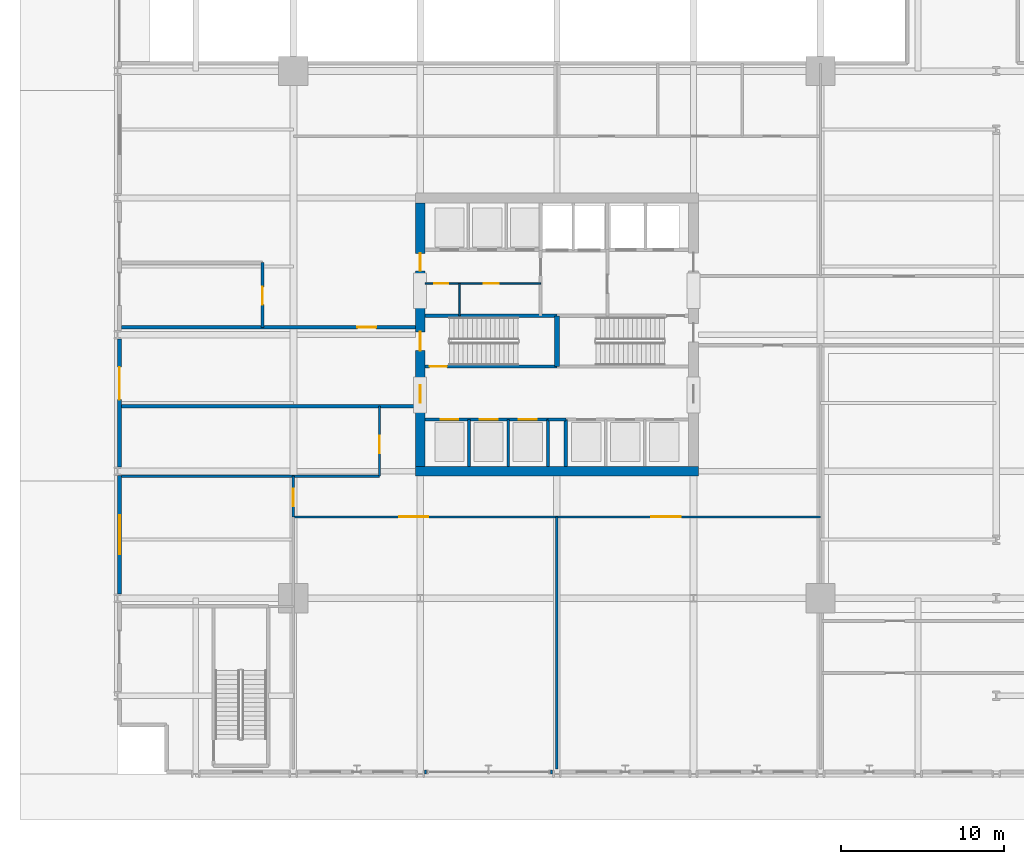
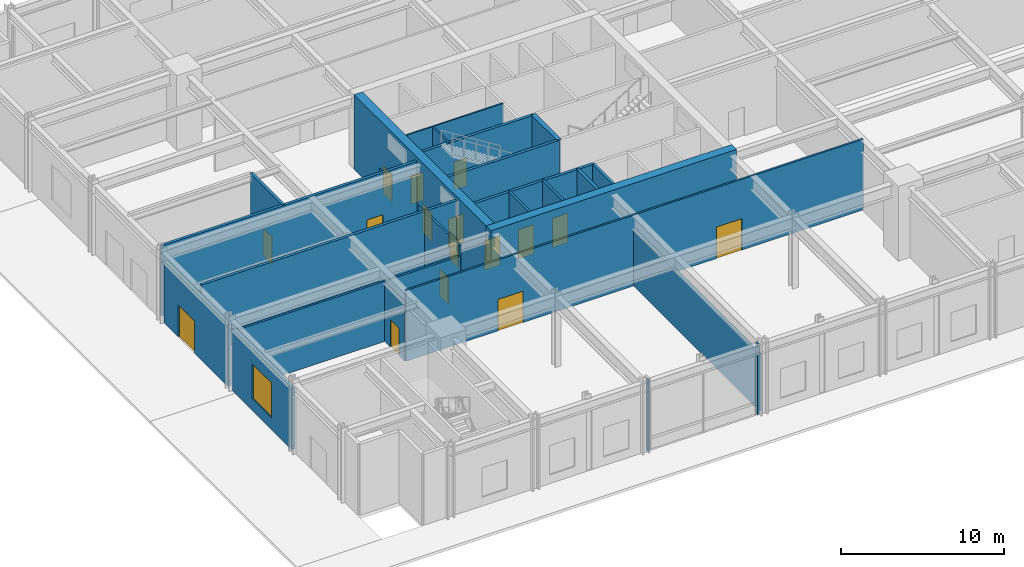
# One storey, part 11 of 21: 25 walls, 16 doors, 1 window, 17 openings.
"""IFC4 building model written with IfcOpenShell, lengths in metres."""

from ifc_helpers import new_model, si_unit, direction, frame, frame_2d, origin, place, context, subcontext, project, spatial, rectangle, extrude, material, layer, layer_set, type_object, element, fill, save


model = new_model("IFC4")

# Units and contexts
model_context = context("Model", 3, precision=1e-05, world=origin(), true_north=direction((0.0, 1.0)))
body_context = subcontext(model_context, "Body", "Model", "MODEL_VIEW")
ifc_project = project(units=[si_unit("LENGTHUNIT", "METRE"), si_unit("AREAUNIT", "SQUARE_METRE"), si_unit("VOLUMEUNIT", "CUBIC_METRE"), si_unit("PLANEANGLEUNIT", "RADIAN"), si_unit("MASSUNIT", "GRAM", prefix="KILO")], contexts=[model_context])

# Site, building, storey
site_placement = place(None, origin())
site = spatial("IfcSite", under=ifc_project, at=site_placement, CompositionType="ELEMENT")
building_placement = place(site_placement, origin())
building = spatial("IfcBuilding", under=site, at=building_placement, Name="Drelvath Grand Hotel", CompositionType="ELEMENT")
storey_placement = place(building_placement, origin())
storey = spatial("IfcBuildingStorey", under=building, at=storey_placement, Name="L00", CompositionType="ELEMENT", Elevation=0.0)

# Wall, openings, doors
ifc_material_1 = material(Name="Gypsum Partition Board")
ifc_layer_1 = layer(ifc_material_1, 0.10009765625)
ifc_layer_set_1 = layer_set([ifc_layer_1], Name="Gypsum Partition Board")
wall_type_1 = type_object("IfcWallType", Name="Core Closet Partition 100", PredefinedType="PARTITIONING", material=ifc_layer_set_1)
wall_1_placement = place(storey_placement, frame((-8.10009765625, 30.139892578125, 0.0), z_axis=(0.0, 0.0, 1.0), x_axis=(1.0, 0.0, 0.0)))
wall_1 = element("IfcWall", 1, at=wall_1_placement, inside=storey, type_object=wall_type_1, Name="L00 High-Rise Lobby Closet Wall", PredefinedType="PARTITIONING", context=body_context, shape_type="SweptSolid", body=[
    extrude(rectangle(XDim=7.10009765625, YDim=0.10009765625, at=frame_2d((3.550048828125, 0.0))), origin(), (0.0, 0.0, 1.0), 5.300048828125),
])
opening_1_placement = place(wall_1_placement, frame((0.550048828125, 0.0, 0.0)))
opening_1 = element("IfcOpeningElement", 2, at=opening_1_placement, cuts=wall_1, Name="Opening D-L00-016", PredefinedType="OPENING", context=body_context, shape_type="SweptSolid", body=[
    extrude(rectangle(XDim=0.8798828125, YDim=2.10009765625, at=frame_2d((0.43994140625, 1.050048828125))), frame((0.0, 0.06005859375, 0.0), z_axis=(0.0, -1.0, 0.0), x_axis=(1.0, 0.0, 0.0)), (0.0, 0.0, 1.0), 0.1201171875),
])
opening_2_placement = place(wall_1_placement, frame((3.60009765625, 0.0, 0.0)))
opening_2 = element("IfcOpeningElement", 3, at=opening_2_placement, cuts=wall_1, Name="Opening D-L00-017", PredefinedType="OPENING", context=body_context, shape_type="SweptSolid", body=[
    extrude(rectangle(XDim=0.919921875, YDim=2.10009765625, at=frame_2d((0.4599609375, 1.050048828125))), frame((0.0, 0.06005859375, 0.0), z_axis=(0.0, -1.0, 0.0), x_axis=(1.0, 0.0, 0.0)), (0.0, 0.0, 1.0), 0.1201171875),
])
ifc_material_2 = material(Name="Hardwood Walnut Timber", Category="wood")
door_type_1 = type_object("IfcDoorType", Name="En-Suite Bathroom Door 880x2100", OperationType="NOTDEFINED", PredefinedType="DOOR", material=ifc_material_2)
door_1_placement = place(opening_1_placement, origin())
door_1 = element("IfcDoor", 4, at=door_1_placement, inside=storey, type_object=door_type_1, Name="L00 Low-Voltage Closet Door", OperationType="SINGLE_SWING_LEFT", OverallHeight=2.10009765625, OverallWidth=0.8798828125, PredefinedType="DOOR", context=body_context, shape_type="SweptSolid", body=[
    extrude(rectangle(XDim=0.8798828125, YDim=2.10009765625, at=frame_2d((0.43994140625, 1.050048828125))), frame((0.0, 0.02490234375, 0.0), z_axis=(0.0, -1.0, 0.0), x_axis=(1.0, 0.0, 0.0)), (0.0, 0.0, 1.0), 0.050048828125),
])
fill(opening_1, door_1)
ifc_material_3 = material(Name="Painted Steel S275", Category="steel")
door_type_2 = type_object("IfcDoorType", Name="Staff Utility Door 920x2100", OperationType="NOTDEFINED", PredefinedType="DOOR", material=ifc_material_3)
door_2_placement = place(opening_2_placement, origin())
door_2 = element("IfcDoor", 5, at=door_2_placement, inside=storey, type_object=door_type_2, Name="L00 Telecom Distribution Door", OperationType="SINGLE_SWING_RIGHT", OverallHeight=2.10009765625, OverallWidth=0.919921875, PredefinedType="DOOR", context=body_context, shape_type="SweptSolid", body=[
    extrude(rectangle(XDim=0.919921875, YDim=2.10009765625, at=frame_2d((0.4599609375, 1.050048828125))), frame((0.0, 0.02490234375, 0.0), z_axis=(0.0, -1.0, 0.0), x_axis=(1.0, 0.0, 0.0)), (0.0, 0.0, 1.0), 0.050048828125),
])
fill(opening_2, door_2)

# Wall
wall_2_placement = place(storey_placement, frame((-5.97998046875, 28.159912109375, 0.0), z_axis=(0.0, 0.0, 1.0), x_axis=(0.0, 1.0, 0.0)))
element("IfcWall", 6, at=wall_2_placement, inside=storey, type_object=wall_type_1, Name="L00 Core Closet Split 2", PredefinedType="PARTITIONING", context=body_context, shape_type="SweptSolid", body=[
    extrude(rectangle(XDim=1.97998046875, YDim=0.10009765625, at=frame_2d((0.989990234375, 0.0))), origin(), (0.0, 0.0, 1.0), 5.300048828125),
])

# Wall, openings, doors
ifc_material_4 = material(Name="Concrete C40/50", Category="concrete")
ifc_layer_2 = layer(ifc_material_4, 0.199951171875)
ifc_layer_set_2 = layer_set([ifc_layer_2], Name="Concrete C40/50")
wall_type_2 = type_object("IfcWallType", Name="Core Hoistway Fire Wall 200", PredefinedType="SOLIDWALL", material=ifc_layer_set_2)
wall_3_placement = place(storey_placement, frame((-0.550048828125, 21.780029296875, 0.0), z_axis=(0.0, 0.0, 1.0), x_axis=(-1.0, 0.0, 0.0)))
wall_3 = element("IfcWall", 7, at=wall_3_placement, inside=storey, type_object=wall_type_2, Name="L00 Bank 1 Hoistway Wall", PredefinedType="SOLIDWALL", context=body_context, shape_type="SweptSolid", body=[
    extrude(rectangle(XDim=7.550048828125, YDim=0.199951171875, at=frame_2d((3.77490234375, 0.0))), origin(), (0.0, 0.0, 1.0), 5.300048828125),
])
opening_3_placement = place(wall_3_placement, frame((5.5, 0.0, 0.0)))
opening_3 = element("IfcOpeningElement", 8, at=opening_3_placement, cuts=wall_3, Name="Opening LD-PE-1", PredefinedType="OPENING", context=body_context, shape_type="SweptSolid", body=[
    extrude(rectangle(XDim=1.10009765625, YDim=2.199951171875, at=frame_2d((0.550048828125, 1.10009765625))), frame((0.0, 0.10986328125, 0.0), z_axis=(0.0, -1.0, 0.0), x_axis=(1.0, 0.0, 0.0)), (0.0, 0.0, 1.0), 0.219970703125),
])
opening_4_placement = place(wall_3_placement, frame((3.10009765625, 0.0, 0.0)))
opening_4 = element("IfcOpeningElement", 9, at=opening_4_placement, cuts=wall_3, Name="Opening LD-PE-2", PredefinedType="OPENING", context=body_context, shape_type="SweptSolid", body=[
    extrude(rectangle(XDim=1.10009765625, YDim=2.199951171875, at=frame_2d((0.550048828125, 1.10009765625))), frame((0.0, 0.10986328125, 0.0), z_axis=(0.0, -1.0, 0.0), x_axis=(1.0, 0.0, 0.0)), (0.0, 0.0, 1.0), 0.219970703125),
])
opening_5_placement = place(wall_3_placement, frame((0.699951171875, 0.0, 0.0)))
opening_5 = element("IfcOpeningElement", 10, at=opening_5_placement, cuts=wall_3, Name="Opening LD-PE-3", PredefinedType="OPENING", context=body_context, shape_type="SweptSolid", body=[
    extrude(rectangle(XDim=1.10009765625, YDim=2.199951171875, at=frame_2d((0.550048828125, 1.10009765625))), frame((0.0, 0.10986328125, 0.0), z_axis=(0.0, -1.0, 0.0), x_axis=(1.0, 0.0, 0.0)), (0.0, 0.0, 1.0), 0.219970703125),
])
ifc_material_5 = material(Name="Stainless Steel S355", Category="steel")
door_type_3 = type_object("IfcDoorType", Name="Passenger Lift Sliding Landing Door 1100x2200", OperationType="NOTDEFINED", PredefinedType="DOOR", material=ifc_material_5)
door_3_placement = place(opening_3_placement, origin())
door_3 = element("IfcDoor", 11, at=door_3_placement, inside=storey, type_object=door_type_3, Name="L00 Lift PE-1 Landing Door", OperationType="SLIDING_TO_LEFT", OverallHeight=2.199951171875, OverallWidth=1.10009765625, PredefinedType="DOOR", context=body_context, shape_type="SweptSolid", body=[
    extrude(rectangle(XDim=1.10009765625, YDim=2.199951171875, at=frame_2d((0.550048828125, 1.10009765625))), frame((0.0, 0.02490234375, 0.0), z_axis=(0.0, -1.0, 0.0), x_axis=(1.0, 0.0, 0.0)), (0.0, 0.0, 1.0), 0.050048828125),
])
fill(opening_3, door_3)
door_4_placement = place(opening_4_placement, origin())
door_4 = element("IfcDoor", 12, at=door_4_placement, inside=storey, type_object=door_type_3, Name="L00 Lift PE-2 Landing Door", OperationType="SLIDING_TO_LEFT", OverallHeight=2.199951171875, OverallWidth=1.10009765625, PredefinedType="DOOR", context=body_context, shape_type="SweptSolid", body=[
    extrude(rectangle(XDim=1.10009765625, YDim=2.199951171875, at=frame_2d((0.550048828125, 1.10009765625))), frame((0.0, 0.02490234375, 0.0), z_axis=(0.0, -1.0, 0.0), x_axis=(1.0, 0.0, 0.0)), (0.0, 0.0, 1.0), 0.050048828125),
])
fill(opening_4, door_4)
door_5_placement = place(opening_5_placement, origin())
door_5 = element("IfcDoor", 13, at=door_5_placement, inside=storey, type_object=door_type_3, Name="L00 Lift PE-3 Landing Door", OperationType="SLIDING_TO_LEFT", OverallHeight=2.199951171875, OverallWidth=1.10009765625, PredefinedType="DOOR", context=body_context, shape_type="SweptSolid", body=[
    extrude(rectangle(XDim=1.10009765625, YDim=2.199951171875, at=frame_2d((0.550048828125, 1.10009765625))), frame((0.0, 0.02490234375, 0.0), z_axis=(0.0, -1.0, 0.0), x_axis=(1.0, 0.0, 0.0)), (0.0, 0.0, 1.0), 0.050048828125),
])
fill(opening_5, door_5)

# Walls
for number, where, z_axis, x_axis, name in (
    (14, (-0.550048828125, 18.89990234375, 0.0), (0.0, 0.0, 1.0), (0.0, 1.0, 0.0), "L00 Bank 1 East Wall"),
    (15, (0.550048828125, 18.89990234375, 0.0), (0.0, 0.0, 1.0), (0.0, 1.0, 0.0), "L00 Bank 2 West Wall"),
):
    element("IfcWall", number, at=place(storey_placement, frame(where, z_axis=z_axis, x_axis=x_axis)), inside=storey, type_object=wall_type_2, Name=name, PredefinedType="SOLIDWALL", context=body_context, shape_type="SweptSolid", body=[
        extrude(rectangle(XDim=2.880126953125, YDim=0.199951171875, at=frame_2d((1.43994140625, 0.0))), origin(), (0.0, 0.0, 1.0), 5.300048828125),
    ])
wall_4_placement = place(storey_placement, frame((-0.550048828125, 21.780029296875, 0.0), z_axis=(0.0, 0.0, 1.0), x_axis=(1.0, 0.0, 0.0)))
element("IfcWall", 16, at=wall_4_placement, inside=storey, type_object=wall_type_2, Name="L00 Core Riser Wall", PredefinedType="SOLIDWALL", context=body_context, shape_type="SweptSolid", body=[
    extrude(rectangle(XDim=1.10009765625, YDim=0.199951171875, at=frame_2d((0.550048828125, 0.0))), origin(), (0.0, 0.0, 1.0), 5.300048828125),
])

# Wall, opening, door
ifc_layer_3 = layer(ifc_material_4, 0.199951171875)
ifc_layer_set_3 = layer_set([ifc_layer_3], Name="Concrete C40/50")
wall_type_3 = type_object("IfcWallType", Name="Core Shaft Fire Wall 200", PredefinedType="SOLIDWALL", material=ifc_layer_set_3)
wall_5_placement = place(storey_placement, frame((-8.10009765625, 25.0400390625, 0.0), z_axis=(0.0, 0.0, 1.0), x_axis=(1.0, 0.0, 0.0)))
wall_5 = element("IfcWall", 17, at=wall_5_placement, inside=storey, type_object=wall_type_3, Name="L00 Stair ST-1 South Wall", PredefinedType="SOLIDWALL", context=body_context, shape_type="SweptSolid", body=[
    extrude(rectangle(XDim=8.10009765625, YDim=0.199951171875, at=frame_2d((4.050048828125, 0.0))), origin(), (0.0, 0.0, 1.0), 5.300048828125),
])
opening_6_placement = place(wall_5_placement, frame((0.280029296875, 0.0, 0.0)))
opening_6 = element("IfcOpeningElement", 18, at=opening_6_placement, cuts=wall_5, Name="Opening D-L00-001", PredefinedType="OPENING", context=body_context, shape_type="SweptSolid", body=[
    extrude(rectangle(XDim=1.050048828125, YDim=2.10009765625, at=frame_2d((0.52490234375, 1.050048828125))), frame((0.0, 0.10986328125, 0.0), z_axis=(0.0, -1.0, 0.0), x_axis=(1.0, 0.0, 0.0)), (0.0, 0.0, 1.0), 0.219970703125),
])
door_type_4 = type_object("IfcDoorType", Name="Tower Stairwell Fire Door 1050x2100", OperationType="NOTDEFINED", PredefinedType="DOOR", material=ifc_material_3)
door_6_placement = place(opening_6_placement, origin())
door_6 = element("IfcDoor", 19, at=door_6_placement, inside=storey, type_object=door_type_4, Name="L00 Exit Stair ST-1 Door", OperationType="SINGLE_SWING_LEFT", OverallHeight=2.10009765625, OverallWidth=1.050048828125, PredefinedType="DOOR", context=body_context, shape_type="SweptSolid", body=[
    extrude(rectangle(XDim=1.050048828125, YDim=2.10009765625, at=frame_2d((0.52490234375, 1.050048828125))), frame((0.0, 0.02490234375, 0.0), z_axis=(0.0, -1.0, 0.0), x_axis=(1.0, 0.0, 0.0)), (0.0, 0.0, 1.0), 0.050048828125),
])
fill(opening_6, door_6)

# Walls
wall_6_placement = place(storey_placement, frame((-8.10009765625, 28.159912109375, 0.0), z_axis=(0.0, 0.0, 1.0), x_axis=(1.0, 0.0, 0.0)))
element("IfcWall", 20, at=wall_6_placement, inside=storey, type_object=wall_type_3, Name="L00 Stair ST-1 North Wall", PredefinedType="SOLIDWALL", context=body_context, shape_type="SweptSolid", body=[
    extrude(rectangle(XDim=8.10009765625, YDim=0.199951171875, at=frame_2d((4.050048828125, 0.0))), origin(), (0.0, 0.0, 1.0), 5.300048828125),
])
wall_7_placement = place(storey_placement, frame((-26.760009765625, 22.60009765625, 0.0), z_axis=(0.0, 0.0, 1.0), x_axis=(1.0, 0.0, 0.0)))
element("IfcWall", 21, at=wall_7_placement, inside=storey, type_object=wall_type_3, Name="L00 West Exit Passage South Wall", PredefinedType="SOLIDWALL", context=body_context, shape_type="SweptSolid", body=[
    extrude(rectangle(XDim=18.06005859375, YDim=0.199951171875, at=frame_2d((9.030029296875, 0.0))), origin(), (0.0, 0.0, 1.0), 5.300048828125),
])

# Wall, opening, door
wall_8_placement = place(storey_placement, frame((-26.760009765625, 27.449951171875, 0.0), z_axis=(0.0, 0.0, 1.0), x_axis=(1.0, 0.0, 0.0)))
wall_8 = element("IfcWall", 22, at=wall_8_placement, inside=storey, type_object=wall_type_3, Name="L00 West Exit Passage North Wall", PredefinedType="SOLIDWALL", context=body_context, shape_type="SweptSolid", body=[
    extrude(rectangle(XDim=18.06005859375, YDim=0.199951171875, at=frame_2d((9.030029296875, 0.0))), origin(), (0.0, 0.0, 1.0), 5.300048828125),
])
opening_7_placement = place(wall_8_placement, frame((14.5, 0.0, 0.0)))
opening_7 = element("IfcOpeningElement", 23, at=opening_7_placement, cuts=wall_8, Name="Opening D-L00-028", PredefinedType="OPENING", context=body_context, shape_type="SweptSolid", body=[
    extrude(rectangle(XDim=1.14990234375, YDim=2.14990234375, at=frame_2d((0.574951171875, 1.074951171875))), frame((0.0, 0.10986328125, 0.0), z_axis=(0.0, -1.0, 0.0), x_axis=(1.0, 0.0, 0.0)), (0.0, 0.0, 1.0), 0.219970703125),
])
door_type_5 = type_object("IfcDoorType", Name="Podium Stairwell Fire Door 1150x2150", OperationType="NOTDEFINED", PredefinedType="DOOR", material=ifc_material_3)
door_7_placement = place(opening_7_placement, origin())
door_7 = element("IfcDoor", 24, at=door_7_placement, inside=storey, type_object=door_type_5, Name="L00 West Lobby to Exit Passage Door", OperationType="SINGLE_SWING_LEFT", OverallHeight=2.14990234375, OverallWidth=1.14990234375, PredefinedType="DOOR", context=body_context, shape_type="SweptSolid", body=[
    extrude(rectangle(XDim=1.14990234375, YDim=2.14990234375, at=frame_2d((0.574951171875, 1.074951171875))), frame((0.0, 0.02490234375, 0.0), z_axis=(0.0, -1.0, 0.0), x_axis=(1.0, 0.0, 0.0)), (0.0, 0.0, 1.0), 0.050048828125),
])
fill(opening_7, door_7)

wall_9_placement = place(storey_placement, frame((-18.10009765625, 27.449951171875, 0.0), z_axis=(0.0, 0.0, 1.0), x_axis=(0.0, 1.0, 0.0)))
wall_9 = element("IfcWall", 25, at=wall_9_placement, inside=storey, type_object=wall_type_3, Name="L00 Fire Command Center East Wall", PredefinedType="SOLIDWALL", context=body_context, shape_type="SweptSolid", body=[
    extrude(rectangle(XDim=3.969970703125, YDim=0.199951171875, at=frame_2d((1.98486328125, 0.0))), origin(), (0.0, 0.0, 1.0), 5.300048828125),
])
opening_8_placement = place(wall_9_placement, frame((1.39990234375, 0.0, 0.0)))
opening_8 = element("IfcOpeningElement", 26, at=opening_8_placement, cuts=wall_9, Name="Opening D-L00-029", PredefinedType="OPENING", context=body_context, shape_type="SweptSolid", body=[
    extrude(rectangle(XDim=1.080078125, YDim=2.0400390625, at=frame_2d((0.5400390625, 1.02001953125))), frame((0.0, 0.10986328125, 0.0), z_axis=(0.0, -1.0, 0.0), x_axis=(1.0, 0.0, 0.0)), (0.0, 0.0, 1.0), 0.219970703125),
])
door_type_6 = type_object("IfcDoorType", Name="Core Corridor Fire Door 1080x2100", OperationType="NOTDEFINED", PredefinedType="DOOR", material=ifc_material_3)
door_8_placement = place(opening_8_placement, origin())
door_8 = element("IfcDoor", 27, at=door_8_placement, inside=storey, type_object=door_type_6, Name="L00 Fire Command Center Interior Door", OperationType="SINGLE_SWING_RIGHT", OverallHeight=2.0400390625, OverallWidth=1.080078125, PredefinedType="DOOR", context=body_context, shape_type="SweptSolid", body=[
    extrude(rectangle(XDim=1.080078125, YDim=2.0400390625, at=frame_2d((0.5400390625, 1.02001953125))), frame((0.0, 0.02490234375, 0.0), z_axis=(0.0, -1.0, 0.0), x_axis=(1.0, 0.0, 0.0)), (0.0, 0.0, 1.0), 0.050048828125),
])
fill(opening_8, door_8)

# Walls
ifc_layer_4 = layer(ifc_material_4, 0.300048828125)
ifc_layer_set_4 = layer_set([ifc_layer_4], Name="Concrete C40/50")
wall_type_4 = type_object("IfcWallType", Name="Core Shaft Fire Wall 300", PredefinedType="SOLIDWALL", material=ifc_layer_set_4)
wall_10_placement = place(storey_placement, frame((0.0, 25.0400390625, 0.0), z_axis=(0.0, 0.0, 1.0), x_axis=(0.0, 1.0, 0.0)))
element("IfcWall", 28, at=wall_10_placement, inside=storey, type_object=wall_type_4, Name="L00 Core Stair Divider Wall", PredefinedType="SOLIDWALL", context=body_context, shape_type="SweptSolid", body=[
    extrude(rectangle(XDim=3.119873046875, YDim=0.300048828125, at=frame_2d((1.56005859375, 0.0))), origin(), (0.0, 0.0, 1.0), 5.300048828125),
])
ifc_material_6 = material(Name="Gypsum Fireboard Partition")
ifc_layer_5 = layer(ifc_material_6, 0.1650390625)
ifc_layer_set_5 = layer_set([ifc_layer_5], Name="Gypsum Fireboard Partition")
wall_type_5 = type_object("IfcWallType", Name="Core Shaft Partition 165", PredefinedType="PARTITIONING", material=ifc_layer_set_5)
for number, where, z_axis, x_axis, name in (
    (29, (-5.39990234375, 18.89990234375, 0.0), (0.0, 0.0, 1.0), (0.0, 1.0, 0.0), "L00 Lift PE-1/2 Divider"),
    (30, (-3.0, 18.89990234375, 0.0), (0.0, 0.0, 1.0), (0.0, 1.0, 0.0), "L00 Lift PE-2/3 Divider"),
):
    element("IfcWall", number, at=place(storey_placement, frame(where, z_axis=z_axis, x_axis=x_axis)), inside=storey, type_object=wall_type_5, Name=name, PredefinedType="PARTITIONING", context=body_context, shape_type="SweptSolid", body=[
        extrude(rectangle(XDim=2.880126953125, YDim=0.1650390625, at=frame_2d((1.43994140625, 0.0))), origin(), (0.0, 0.0, 1.0), 5.300048828125),
    ])

# Wall, openings, doors
ifc_layer_6 = layer(ifc_material_6, 0.135009765625)
ifc_layer_set_6 = layer_set([ifc_layer_6], Name="Gypsum Fireboard Partition")
wall_type_6 = type_object("IfcWallType", Name="Corridor Fire Barrier Wall 135", PredefinedType="PARTITIONING", material=ifc_layer_set_6)
wall_11_placement = place(storey_placement, frame((-16.199951171875, 15.800048828125, 0.0), z_axis=(0.0, 0.0, 1.0), x_axis=(1.0, 0.0, 0.0)))
wall_11 = element("IfcWall", 31, at=wall_11_placement, inside=storey, type_object=wall_type_6, Name="L00 South Galleria Corridor Wall", PredefinedType="PARTITIONING", context=body_context, shape_type="SweptSolid", body=[
    extrude(rectangle(XDim=32.39990234375, YDim=0.135009765625, at=frame_2d((16.199951171875, 0.0))), origin(), (0.0, 0.0, 1.0), 5.300048828125),
])
opening_9_placement = place(wall_11_placement, frame((6.5, 0.0, 0.0)))
opening_9 = element("IfcOpeningElement", 32, at=opening_9_placement, cuts=wall_11, Name="Opening D-L00-032", PredefinedType="OPENING", context=body_context, shape_type="SweptSolid", body=[
    extrude(rectangle(XDim=1.800048828125, YDim=2.35009765625, at=frame_2d((0.89990234375, 1.175048828125))), frame((0.0, 0.077392578125, 0.0), z_axis=(0.0, -1.0, 0.0), x_axis=(1.0, 0.0, 0.0)), (0.0, 0.0, 1.0), 0.155029296875),
])
opening_10_placement = place(wall_11_placement, frame((22.0, 0.0, 0.0)))
opening_10 = element("IfcOpeningElement", 33, at=opening_10_placement, cuts=wall_11, Name="Opening D-L00-033", PredefinedType="OPENING", context=body_context, shape_type="SweptSolid", body=[
    extrude(rectangle(XDim=1.800048828125, YDim=2.35009765625, at=frame_2d((0.89990234375, 1.175048828125))), frame((0.0, 0.077392578125, 0.0), z_axis=(0.0, -1.0, 0.0), x_axis=(1.0, 0.0, 0.0)), (0.0, 0.0, 1.0), 0.155029296875),
])
ifc_material_7 = material(Name="Hardwood Bronze-Clad Timber", Category="wood")
door_type_7 = type_object("IfcDoorType", Name="Assembly Double Fire Door 1800x2350", OperationType="NOTDEFINED", PredefinedType="DOOR", material=ifc_material_7)
door_9_placement = place(opening_9_placement, origin())
door_9 = element("IfcDoor", 34, at=door_9_placement, inside=storey, type_object=door_type_7, Name="L00 Reception Hall Double Door", OperationType="DOUBLE_DOOR_SINGLE_SWING", OverallHeight=2.35009765625, OverallWidth=1.800048828125, PredefinedType="DOOR", context=body_context, shape_type="SweptSolid", body=[
    extrude(rectangle(XDim=1.800048828125, YDim=2.35009765625, at=frame_2d((0.89990234375, 1.175048828125))), frame((0.0, 0.02490234375, 0.0), z_axis=(0.0, -1.0, 0.0), x_axis=(1.0, 0.0, 0.0)), (0.0, 0.0, 1.0), 0.050048828125),
])
fill(opening_9, door_9)
door_10_placement = place(opening_10_placement, origin())
door_10 = element("IfcDoor", 35, at=door_10_placement, inside=storey, type_object=door_type_7, Name="L00 Retail Boutique Double Door", OperationType="DOUBLE_DOOR_SINGLE_SWING", OverallHeight=2.35009765625, OverallWidth=1.800048828125, PredefinedType="DOOR", context=body_context, shape_type="SweptSolid", body=[
    extrude(rectangle(XDim=1.800048828125, YDim=2.35009765625, at=frame_2d((0.89990234375, 1.175048828125))), frame((0.0, 0.02490234375, 0.0), z_axis=(0.0, -1.0, 0.0), x_axis=(1.0, 0.0, 0.0)), (0.0, 0.0, 1.0), 0.050048828125),
])
fill(opening_10, door_10)

# Wall, opening, door
wall_12_placement = place(storey_placement, frame((-16.199951171875, 15.800048828125, 0.0), z_axis=(0.0, 0.0, 1.0), x_axis=(0.0, 1.0, 0.0)))
wall_12 = element("IfcWall", 36, at=wall_12_placement, inside=storey, type_object=wall_type_6, Name="L00 VIP Salon East Corridor Wall", PredefinedType="PARTITIONING", context=body_context, shape_type="SweptSolid", body=[
    extrude(rectangle(XDim=2.5, YDim=0.135009765625, at=frame_2d((1.25, 0.0))), origin(), (0.0, 0.0, 1.0), 4.3369140625),
])
opening_11_placement = place(wall_12_placement, frame((0.64990234375, 0.0, 0.0)))
opening_11 = element("IfcOpeningElement", 37, at=opening_11_placement, cuts=wall_12, Name="Opening D-L00-035", PredefinedType="OPENING", context=body_context, shape_type="SweptSolid", body=[
    extrude(rectangle(XDim=1.080078125, YDim=2.0400390625, at=frame_2d((0.5400390625, 1.02001953125))), frame((0.0, 0.077392578125, 0.0), z_axis=(0.0, -1.0, 0.0), x_axis=(1.0, 0.0, 0.0)), (0.0, 0.0, 1.0), 0.155029296875),
])
door_11_placement = place(opening_11_placement, origin())
door_11 = element("IfcDoor", 38, at=door_11_placement, inside=storey, type_object=door_type_6, Name="L00 VIP Salon Door", OperationType="SINGLE_SWING_RIGHT", OverallHeight=2.0400390625, OverallWidth=1.080078125, PredefinedType="DOOR", context=body_context, shape_type="SweptSolid", body=[
    extrude(rectangle(XDim=1.080078125, YDim=2.0400390625, at=frame_2d((0.5400390625, 1.02001953125))), frame((0.0, 0.02490234375, 0.0), z_axis=(0.0, -1.0, 0.0), x_axis=(1.0, 0.0, 0.0)), (0.0, 0.0, 1.0), 0.050048828125),
])
fill(opening_11, door_11)

wall_13_placement = place(storey_placement, frame((-10.89990234375, 18.300048828125, 0.0), z_axis=(0.0, 0.0, 1.0), x_axis=(0.0, 1.0, 0.0)))
wall_13 = element("IfcWall", 39, at=wall_13_placement, inside=storey, type_object=wall_type_6, Name="L00 West Lobby Service Wall", PredefinedType="PARTITIONING", context=body_context, shape_type="SweptSolid", body=[
    extrude(rectangle(XDim=4.300048828125, YDim=0.135009765625, at=frame_2d((2.14990234375, 0.0))), origin(), (0.0, 0.0, 1.0), 5.300048828125),
])
opening_12_placement = place(wall_13_placement, frame((1.39990234375, 0.0, 0.0)))
opening_12 = element("IfcOpeningElement", 40, at=opening_12_placement, cuts=wall_13, Name="Opening D-L00-036", PredefinedType="OPENING", context=body_context, shape_type="SweptSolid", body=[
    extrude(rectangle(XDim=1.080078125, YDim=2.0400390625, at=frame_2d((0.5400390625, 1.02001953125))), frame((0.0, 0.077392578125, 0.0), z_axis=(0.0, -1.0, 0.0), x_axis=(1.0, 0.0, 0.0)), (0.0, 0.0, 1.0), 0.155029296875),
])
door_12_placement = place(opening_12_placement, origin())
door_12 = element("IfcDoor", 41, at=door_12_placement, inside=storey, type_object=door_type_6, Name="L00 Luggage Room Door", OperationType="SINGLE_SWING_LEFT", OverallHeight=2.0400390625, OverallWidth=1.080078125, PredefinedType="DOOR", context=body_context, shape_type="SweptSolid", body=[
    extrude(rectangle(XDim=1.080078125, YDim=2.0400390625, at=frame_2d((0.5400390625, 1.02001953125))), frame((0.0, 0.02490234375, 0.0), z_axis=(0.0, -1.0, 0.0), x_axis=(1.0, 0.0, 0.0)), (0.0, 0.0, 1.0), 0.050048828125),
])
fill(opening_12, door_12)

# Walls
ifc_material_8 = material(Name="Gypsum Acoustic Partition")
ifc_layer_7 = layer(ifc_material_8, 0.14990234375)
ifc_layer_set_7 = layer_set([ifc_layer_7], Name="Gypsum Acoustic Partition")
wall_type_7 = type_object("IfcWallType", Name="Guestroom Demising Wall 150", PredefinedType="PARTITIONING", material=ifc_layer_set_7)
wall_14_placement = place(storey_placement, frame((-26.760009765625, 18.300048828125, 0.0), z_axis=(0.0, 0.0, 1.0), x_axis=(1.0, 0.0, 0.0)))
element("IfcWall", 42, at=wall_14_placement, inside=storey, type_object=wall_type_7, Name="L00 Luggage Lounge Split", PredefinedType="PARTITIONING", context=body_context, shape_type="SweptSolid", body=[
    extrude(rectangle(XDim=15.860107421875, YDim=0.14990234375, at=frame_2d((7.93017578125, 0.0))), origin(), (0.0, 0.0, 1.0), 4.51171875),
])
ifc_material_9 = material(Name="Concrete f'c 70 MPa", Category="concrete")
ifc_layer_8 = layer(ifc_material_9, 0.60009765625)
ifc_layer_set_8 = layer_set([ifc_layer_8], Name="Concrete f'c 70 MPa")
wall_type_8 = type_object("IfcWallType", Name="Lower Core RC Shear Wall 600", PredefinedType="SHEAR", material=ifc_layer_set_8)
wall_15_placement = place(storey_placement, frame((8.699951171875, 18.60009765625, 0.0), z_axis=(0.0, 0.0, 1.0), x_axis=(-1.0, 0.0, 0.0)))
element("IfcWall", 43, at=wall_15_placement, inside=storey, type_object=wall_type_8, Name="L00 Central Core Shear Wall S", PredefinedType="SHEAR", context=body_context, shape_type="SweptSolid", body=[
    extrude(rectangle(XDim=17.39990234375, YDim=0.60009765625, at=frame_2d((8.699951171875, 0.0))), origin(), (0.0, 0.0, 1.0), 5.60009765625),
])

# Wall, openings, doors
wall_16_placement = place(storey_placement, frame((-8.39990234375, 18.89990234375, 0.0), z_axis=(0.0, 0.0, 1.0), x_axis=(0.0, 1.0, 0.0)))
wall_16 = element("IfcWall", 44, at=wall_16_placement, inside=storey, type_object=wall_type_8, Name="L00 Central Core Shear Wall W", PredefinedType="SHEAR", context=body_context, shape_type="SweptSolid", body=[
    extrude(rectangle(XDim=16.2001953125, YDim=0.60009765625, at=frame_2d((8.10009765625, 0.0))), origin(), (0.0, 0.0, 1.0), 5.60009765625),
])
opening_13_placement = place(wall_16_placement, frame((7.1201171875, 0.0, 0.0)))
opening_13 = element("IfcOpeningElement", 45, at=opening_13_placement, cuts=wall_16, Name="Opening SD-ST1-L00", PredefinedType="OPENING", context=body_context, shape_type="SweptSolid", body=[
    extrude(rectangle(XDim=1.14990234375, YDim=2.14990234375, at=frame_2d((0.574951171875, 1.074951171875))), frame((0.0, 0.31005859375, 0.0), z_axis=(0.0, -1.0, 0.0), x_axis=(1.0, 0.0, 0.0)), (0.0, 0.0, 1.0), 0.6201171875),
])
opening_14_placement = place(wall_16_placement, frame((12.02001953125, 0.0, 0.0)))
opening_14 = element("IfcOpeningElement", 46, at=opening_14_placement, cuts=wall_16, Name="Opening D-L00-015", PredefinedType="OPENING", context=body_context, shape_type="SweptSolid", body=[
    extrude(rectangle(XDim=1.080078125, YDim=2.0400390625, at=frame_2d((0.5400390625, 1.02001953125))), frame((0.0, 0.31005859375, 0.0), z_axis=(0.0, -1.0, 0.0), x_axis=(1.0, 0.0, 0.0)), (0.0, 0.0, 1.0), 0.6201171875),
])
opening_15_placement = place(wall_16_placement, frame((3.89990234375, 0.0, 0.0)))
opening_15 = element("IfcOpeningElement", 47, at=opening_15_placement, cuts=wall_16, Name="Opening D-L00-024", PredefinedType="OPENING", context=body_context, shape_type="SweptSolid", body=[
    extrude(rectangle(XDim=1.080078125, YDim=2.0400390625, at=frame_2d((0.5400390625, 1.02001953125))), frame((0.0, 0.31005859375, 0.0), z_axis=(0.0, -1.0, 0.0), x_axis=(1.0, 0.0, 0.0)), (0.0, 0.0, 1.0), 0.6201171875),
])
door_13_placement = place(opening_14_placement, origin())
door_13 = element("IfcDoor", 48, at=door_13_placement, inside=storey, type_object=door_type_6, Name="L00 High-Rise Lift Lobby West Door", OperationType="SINGLE_SWING_RIGHT", OverallHeight=2.0400390625, OverallWidth=1.080078125, PredefinedType="DOOR", context=body_context, shape_type="SweptSolid", body=[
    extrude(rectangle(XDim=1.080078125, YDim=2.0400390625, at=frame_2d((0.5400390625, 1.02001953125))), frame((0.0, 0.02490234375, 0.0), z_axis=(0.0, -1.0, 0.0), x_axis=(1.0, 0.0, 0.0)), (0.0, 0.0, 1.0), 0.050048828125),
])
fill(opening_14, door_13)
door_14_placement = place(opening_15_placement, origin())
door_14 = element("IfcDoor", 49, at=door_14_placement, inside=storey, type_object=door_type_6, Name="L00 South Lift Lobby West Door", OperationType="SINGLE_SWING_LEFT", OverallHeight=2.0400390625, OverallWidth=1.080078125, PredefinedType="DOOR", context=body_context, shape_type="SweptSolid", body=[
    extrude(rectangle(XDim=1.080078125, YDim=2.0400390625, at=frame_2d((0.5400390625, 1.02001953125))), frame((0.0, 0.02490234375, 0.0), z_axis=(0.0, -1.0, 0.0), x_axis=(1.0, 0.0, 0.0)), (0.0, 0.0, 1.0), 0.050048828125),
])
fill(opening_15, door_14)
door_15_placement = place(opening_13_placement, origin())
door_15 = element("IfcDoor", 50, at=door_15_placement, inside=storey, type_object=door_type_5, Name="L00 Exit Stair ST-1 Discharge Door", OperationType="SINGLE_SWING_LEFT", OverallHeight=2.14990234375, OverallWidth=1.14990234375, PredefinedType="DOOR", context=body_context, shape_type="SweptSolid", body=[
    extrude(rectangle(XDim=1.14990234375, YDim=2.14990234375, at=frame_2d((0.574951171875, 1.074951171875))), frame((0.0, 0.02490234375, 0.0), z_axis=(0.0, -1.0, 0.0), x_axis=(1.0, 0.0, 0.0)), (0.0, 0.0, 1.0), 0.050048828125),
])
fill(opening_13, door_15)

# Wall, opening, window
ifc_material_10 = material(Name="Insulated Granite Rainscreen Assembly", Category="masonry")
ifc_layer_9 = layer(ifc_material_10, 0.239990234375)
ifc_layer_set_9 = layer_set([ifc_layer_9], Name="Insulated Granite Rainscreen Assembly")
wall_type_9 = type_object("IfcWallType", Name="Podium Granite Rainscreen Exterior Wall 240", PredefinedType="STANDARD", material=ifc_layer_set_9)
wall_17_placement = place(storey_placement, frame((-26.8798828125, 11.0576171875, 0.0), z_axis=(0.0, 0.0, 1.0), x_axis=(0.0, 1.0, 0.0)))
wall_17 = element("IfcWall", 51, at=wall_17_placement, inside=storey, type_object=wall_type_9, Name="L00 West Podium Granite Wall 3", PredefinedType="STANDARD", context=body_context, shape_type="SweptSolid", body=[
    extrude(rectangle(XDim=7.28466796875, YDim=0.239990234375, at=frame_2d((3.642333984375, 0.0))), origin(), (0.0, 0.0, 1.0), 4.6044921875),
])
opening_16_placement = place(wall_17_placement, frame((2.4423828125, 0.0, 0.89990234375)))
opening_16 = element("IfcOpeningElement", 52, at=opening_16_placement, cuts=wall_17, Name="Opening W-01", PredefinedType="OPENING", context=body_context, shape_type="SweptSolid", body=[
    extrude(rectangle(XDim=2.39990234375, YDim=2.60009765625, at=frame_2d((1.199951171875, 1.300048828125))), frame((0.0, 0.1298828125, 0.0), z_axis=(0.0, -1.0, 0.0), x_axis=(1.0, 0.0, 0.0)), (0.0, 0.0, 1.0), 0.260009765625),
])
ifc_material_11 = material(Name="Bronze Anodised Low-E Triple Glazing", Category="glass")
window_type = type_object("IfcWindowType", Name="Chicago Triple-Pane Podium Window 2400x2600", PartitioningType="TRIPLE_PANEL_VERTICAL", PredefinedType="WINDOW", material=ifc_material_11)
window_placement = place(opening_16_placement, origin())
window = element("IfcWindow", 53, at=window_placement, inside=storey, type_object=window_type, Name="L00 West Chicago Window 3", OverallHeight=2.60009765625, OverallWidth=2.39990234375, PartitioningType="SINGLE_PANEL", PredefinedType="WINDOW", context=body_context, shape_type="SweptSolid", body=[
    extrude(rectangle(XDim=2.39990234375, YDim=2.60009765625, at=frame_2d((1.199951171875, 1.300048828125))), frame((0.0, 0.030029296875, 0.0), z_axis=(0.0, -1.0, 0.0), x_axis=(1.0, 0.0, 0.0)), (0.0, 0.0, 1.0), 0.06005859375),
])
fill(opening_16, window)

# Wall, opening, door
wall_18_placement = place(storey_placement, frame((-26.8798828125, 18.857666015625, 0.0), z_axis=(0.0, 0.0, 1.0), x_axis=(0.0, 1.0, 0.0)))
wall_18 = element("IfcWall", 54, at=wall_18_placement, inside=storey, type_object=wall_type_9, Name="L00 West Podium Granite Wall 4", PredefinedType="STANDARD", context=body_context, shape_type="SweptSolid", body=[
    extrude(rectangle(XDim=7.884521484375, YDim=0.239990234375, at=frame_2d((3.9423828125, 0.0))), origin(), (0.0, 0.0, 1.0), 4.6044921875),
])
opening_17_placement = place(wall_18_placement, frame((4.142333984375, 0.0, 0.0)))
opening_17 = element("IfcOpeningElement", 55, at=opening_17_placement, cuts=wall_18, Name="Opening EX-01", PredefinedType="OPENING", context=body_context, shape_type="SweptSolid", body=[
    extrude(rectangle(XDim=2.0, YDim=2.39990234375, at=frame_2d((1.0, 1.199951171875))), frame((0.0, 0.1298828125, 0.0), z_axis=(0.0, -1.0, 0.0), x_axis=(1.0, 0.0, 0.0)), (0.0, 0.0, 1.0), 0.260009765625),
])
ifc_material_12 = material(Name="Bronze Anodised Thermally Broken Aluminium", Category="aluminium")
door_type_8 = type_object("IfcDoorType", Name="Street Final Exit Double Door 2000x2400", OperationType="DOUBLE_DOOR_SINGLE_SWING", PredefinedType="DOOR", material=ifc_material_12)
door_16_placement = place(opening_17_placement, origin())
door_16 = element("IfcDoor", 56, at=door_16_placement, inside=storey, type_object=door_type_8, Name="L00 West Core Final Exit Discharge Door EX-01", OperationType="DOUBLE_DOOR_SINGLE_SWING", OverallHeight=2.39990234375, OverallWidth=2.0, PredefinedType="DOOR", context=body_context, shape_type="SweptSolid", body=[
    extrude(rectangle(XDim=2.0, YDim=2.39990234375, at=frame_2d((1.0, 1.199951171875))), frame((0.0, 0.02490234375, 0.0), z_axis=(0.0, -1.0, 0.0), x_axis=(1.0, 0.0, 0.0)), (0.0, 0.0, 1.0), 0.050048828125),
])
fill(opening_17, door_16)

# Walls
wall_19_placement = place(storey_placement, frame((-8.0, 0.1201171875, 0.0), z_axis=(0.0, 0.0, 1.0), x_axis=(-1.0, 0.0, 0.0)))
element("IfcWall", 57, at=wall_19_placement, inside=storey, type_object=wall_type_9, Name="L00 South Podium Granite Wall 5", PredefinedType="STANDARD", context=body_context, shape_type="SweptSolid", body=[
    extrude(rectangle(XDim=0.142333984375, YDim=0.239990234375, at=frame_2d((0.0712890625, 0.0))), origin(), (0.0, 0.0, 1.0), 5.300048828125),
])
wall_20_placement = place(storey_placement, frame((-0.2578125, 0.1201171875, 0.0), z_axis=(0.0, 0.0, 1.0), x_axis=(-1.0, 0.0, 0.0)))
element("IfcWall", 58, at=wall_20_placement, inside=storey, type_object=wall_type_9, Name="L00 South Podium Granite Wall 6", PredefinedType="STANDARD", context=body_context, shape_type="SweptSolid", body=[
    extrude(rectangle(XDim=0.14208984375, YDim=0.239990234375, at=frame_2d((0.071044921875, 0.0))), origin(), (0.0, 0.0, 1.0), 5.300048828125),
])
ifc_layer_10 = layer(ifc_material_8, 0.1650390625)
ifc_layer_set_10 = layer_set([ifc_layer_10], Name="Gypsum Acoustic Partition")
wall_type_10 = type_object("IfcWallType", Name="Suite Demising Wall 165", PredefinedType="PARTITIONING", material=ifc_layer_set_10)
wall_21_placement = place(storey_placement, frame((0.0, 0.300048828125, 0.0), z_axis=(0.0, 0.0, 1.0), x_axis=(0.0, 1.0, 0.0)))
element("IfcWall", 59, at=wall_21_placement, inside=storey, type_object=wall_type_10, Name="L00 South Retail Center Wall", PredefinedType="PARTITIONING", context=body_context, shape_type="SweptSolid", body=[
    extrude(rectangle(XDim=15.5, YDim=0.1650390625, at=frame_2d((7.75, 0.0))), origin(), (0.0, 0.0, 1.0), 4.24755859375),
])

save(model, "model.ifc")
